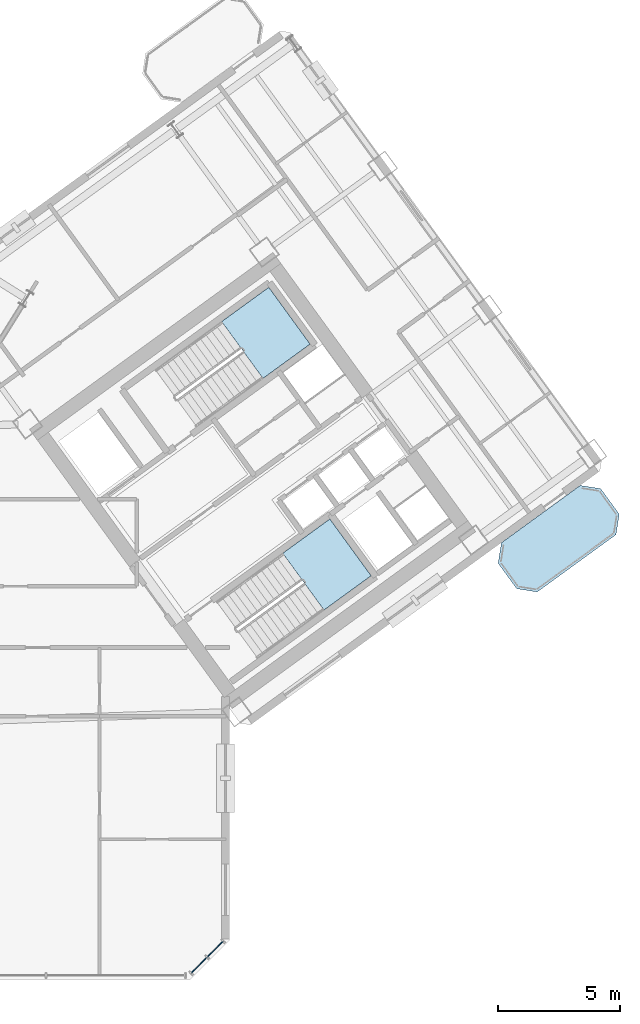
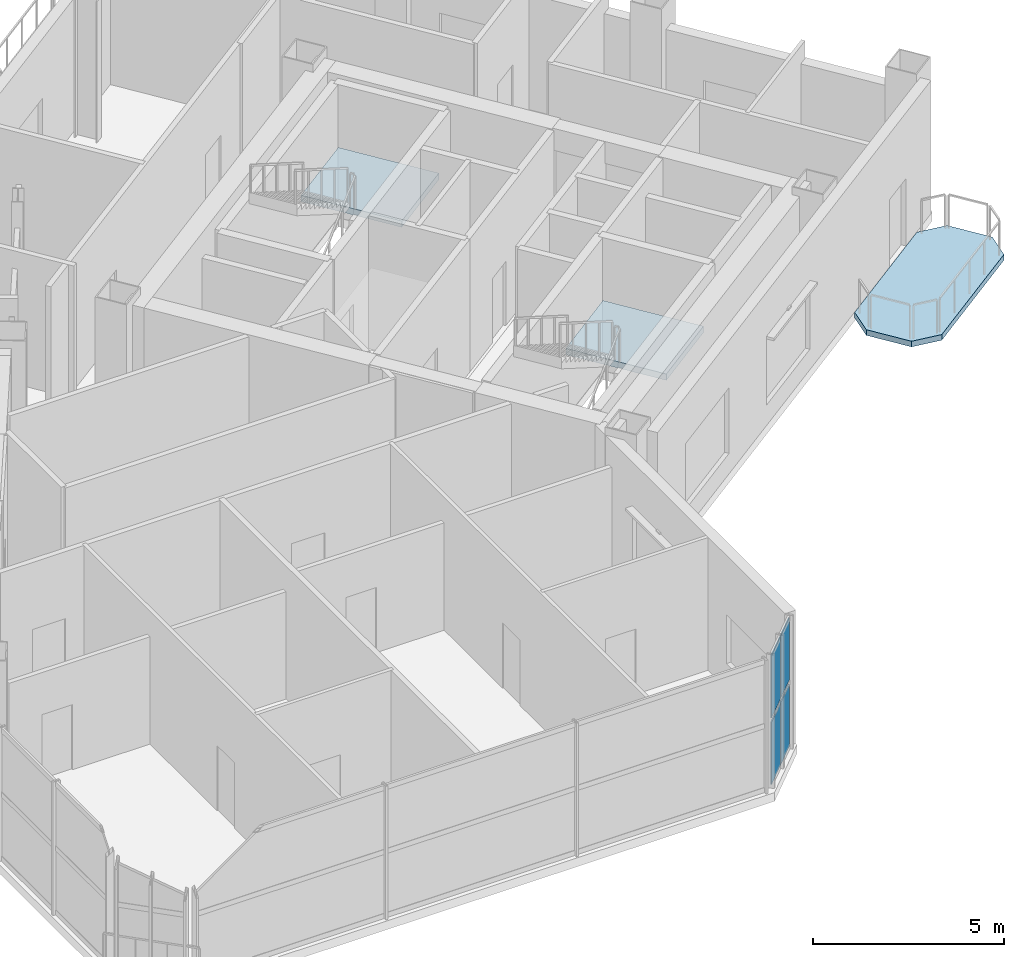
# One storey, part 10 of 21: 4 plates, 3 slabs, 3 elements without a shape of their own.
"""IFC4 building model written with IfcOpenShell, lengths in metres."""

from ifc_helpers import new_model, si_unit, direction, frame, origin, origin_2d, place, context, subcontext, project, spatial, polyline, rectangle, outline, extrude, source, transform, mapped, material, layer, layer_set, type_object, element, aggregate, save


model = new_model("IFC4")

# Units and contexts
model_context = context("Model", 3, precision=1e-05, world=origin(), true_north=direction((0.0, 1.0)))
body_context = subcontext(model_context, "Body", "Model", "MODEL_VIEW")
ifc_project = project(units=[si_unit("LENGTHUNIT", "METRE"), si_unit("AREAUNIT", "SQUARE_METRE"), si_unit("VOLUMEUNIT", "CUBIC_METRE"), si_unit("PLANEANGLEUNIT", "RADIAN"), si_unit("MASSUNIT", "GRAM", prefix="KILO")], contexts=[model_context])

# Site, building, storey
site_placement = place(None, origin())
site = spatial("IfcSite", under=ifc_project, at=site_placement, CompositionType="ELEMENT")
building_placement = place(site_placement, origin())
building = spatial("IfcBuilding", under=site, at=building_placement, Name="Tlacorven Tower", CompositionType="ELEMENT")
storey_placement = place(building_placement, frame((0.0, 0.0, 100.800048828125)))
storey = spatial("IfcBuildingStorey", under=building, at=storey_placement, Name="L25", CompositionType="ELEMENT", Elevation=100.800048828125)

# Slab
ifc_material_1 = material(Name="Precast concrete C45/55", Category="concrete")
ifc_layer_1 = layer(ifc_material_1, 0.179931640625)
ifc_layer_set_1 = layer_set([ifc_layer_1], Name="Precast concrete C45/55")
slab_type_1 = type_object("IfcSlabType", Name="SL-BAL-180", PredefinedType="USERDEFINED", material=ifc_layer_set_1)
slab_1_placement = place(storey_placement, frame((0.0, 0.0, -0.179931640625)))
element("IfcSlab", 1, at=slab_1_placement, inside=storey, type_object=slab_type_1, Name="L25 East Wing Balcony Ribbon OUT", ObjectType="BALCONY SLAB", PredefinedType="USERDEFINED", context=body_context, shape_type="SweptSolid", body=[
    extrude(outline(polyline([(65.025634765625, 17.69482421875), (68.26171875, 20.046142578125), (68.394287109375, 20.884033203125), (67.633056640625, 21.931884765625), (66.795166015625, 22.064453125), (63.55908203125, 19.71337890625), (63.42626953125, 18.875244140625), (64.1875, 17.82763671875), (65.025634765625, 17.69482421875)])), origin(), (0.0, 0.0, 1.0), 0.179931640625),
])

# Stair, slab
ifc_material_2 = material(Name="Concrete C40/50", Category="concrete")
stair_type = type_object("IfcStairType", Name="ST-CORE-DLG", PredefinedType="HALF_TURN_STAIR", material=ifc_material_2)
stair_1_placement = place(storey_placement, origin())
stair_1 = element("IfcStair", 2, at=stair_1_placement, inside=storey, type_object=stair_type, Name="L25 Protected Exit Stair East 1", PredefinedType="HALF_TURN_STAIR")
ifc_layer_2 = layer(ifc_material_2, 0.199951171875)
ifc_layer_set_2 = layer_set([ifc_layer_2], Name="Concrete C40/50")
slab_type_2 = type_object("IfcSlabType", Name="SL-LND-200", PredefinedType="LANDING", material=ifc_layer_set_2)
slab_2_placement = place(storey_placement, frame((0.0, 0.0, 2.050048828125)))
slab_2 = element("IfcSlab", 3, at=slab_2_placement, type_object=slab_type_2, Name="ST-E1 landing 1", PredefinedType="LANDING", context=body_context, shape_type="SweptSolid", body=[
    extrude(outline(polyline([(53.77734375, 26.456787109375), (55.7109375, 27.861572265625), (54.01806640625, 30.19140625), (52.08447265625, 28.78662109375), (53.77734375, 26.456787109375)])), origin(), (0.0, 0.0, 1.0), 0.199951171875),
])
aggregate(stair_1, [slab_2])

stair_2_placement = place(storey_placement, origin())
stair_2 = element("IfcStair", 4, at=stair_2_placement, inside=storey, type_object=stair_type, Name="L25 Protected Exit Stair East 2", PredefinedType="HALF_TURN_STAIR")
slab_3_placement = place(storey_placement, frame((0.0, 0.0, 2.050048828125)))
slab_3 = element("IfcSlab", 5, at=slab_3_placement, type_object=slab_type_2, Name="ST-E2 landing 1", PredefinedType="LANDING", context=body_context, shape_type="SweptSolid", body=[
    extrude(outline(polyline([(56.28125, 16.95361328125), (58.21484375, 18.3583984375), (56.52197265625, 20.6884765625), (54.58837890625, 19.283447265625), (56.28125, 16.95361328125)])), origin(), (0.0, 0.0, 1.0), 0.199951171875),
])
aggregate(stair_2, [slab_3])

# Curtain wall, plates
ifc_material_3 = material(Name="Dark solar low-E double glazing in aluminium frame", Category="aluminium")
curtain_wall_type = type_object("IfcCurtainWallType", Name="CW-COM-AMENITY", PredefinedType="USERDEFINED", material=ifc_material_3)
curtain_wall_placement = place(storey_placement, origin())
curtain_wall = element("IfcCurtainWall", 6, at=curtain_wall_placement, inside=storey, type_object=curtain_wall_type, Name="L25 CW-COM-AMENITY Curtain Wall 127", ObjectType="UNITISED CURTAIN WALL", PredefinedType="USERDEFINED")
ifc_material_4 = material(Name="Dark solar acoustic laminated low-E glazing", Category="glass")
ifc_layer_3 = layer(ifc_material_4, 0.035888671875)
ifc_layer_set_3 = layer_set([ifc_layer_3], Name="Dark solar acoustic laminated low-E glazing")
plate_type = type_object("IfcPlateType", Name="CWP-01", PredefinedType="CURTAIN_PANEL", material=ifc_layer_set_3)
shared_shape = source(origin(), body_context, "Body", "SweptSolid", [
    extrude(rectangle(XDim=0.878173828125, YDim=0.035888671875, at=origin_2d()), origin(), (0.0, 0.0, 1.0), 1.98291015625),
])
plate_1_placement = place(storey_placement, frame((51.815673828125, 3.0419921875, 0.071044921875), z_axis=(0.0, 0.0, 1.0), x_axis=(-0.707106781187, -0.707106781187, 0.0)))
plate_1 = element("IfcPlate", 7, at=plate_1_placement, type_object=plate_type, Name="CW-L25-127 Glazing Panel 1", PredefinedType="CURTAIN_PANEL", context=body_context, shape_type="MappedRepresentation", body=[
    mapped(shared_shape, transform((0.0, 0.0, 0.0), scale=1.0)),
])
plate_2_placement = place(storey_placement, frame((51.815673828125, 3.0419921875, 2.196044921875), z_axis=(0.0, 0.0, 1.0), x_axis=(-0.707106781187, -0.707106781187, 0.0)))
plate_2 = element("IfcPlate", 8, at=plate_2_placement, type_object=plate_type, Name="CW-L25-127 Glazing Panel 2", PredefinedType="CURTAIN_PANEL", context=body_context, shape_type="MappedRepresentation", body=[
    mapped(shared_shape, transform((0.0, 0.0, 0.0), scale=1.0)),
])
plate_3_placement = place(storey_placement, frame((51.157958984375, 2.38427734375, 0.071044921875), z_axis=(0.0, 0.0, 1.0), x_axis=(-0.707106781187, -0.707106781187, 0.0)))
plate_3 = element("IfcPlate", 9, at=plate_3_placement, type_object=plate_type, Name="CW-L25-127 Glazing Panel 3", PredefinedType="CURTAIN_PANEL", context=body_context, shape_type="MappedRepresentation", body=[
    mapped(shared_shape, transform((0.0, 0.0, 0.0), scale=1.0)),
])
plate_4_placement = place(storey_placement, frame((51.157958984375, 2.38427734375, 2.196044921875), z_axis=(0.0, 0.0, 1.0), x_axis=(-0.707106781187, -0.707106781187, 0.0)))
plate_4 = element("IfcPlate", 10, at=plate_4_placement, type_object=plate_type, Name="CW-L25-127 Glazing Panel 4", PredefinedType="CURTAIN_PANEL", context=body_context, shape_type="MappedRepresentation", body=[
    mapped(shared_shape, transform((0.0, 0.0, 0.0), scale=1.0)),
])
aggregate(curtain_wall, [plate_1, plate_2, plate_3, plate_4])

save(model, "model.ifc")
